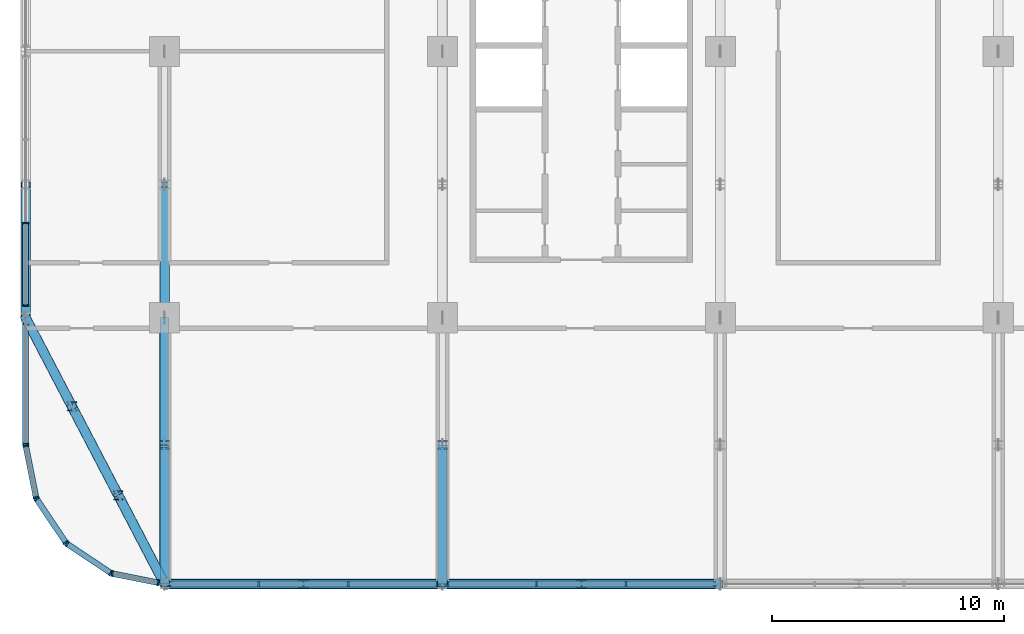
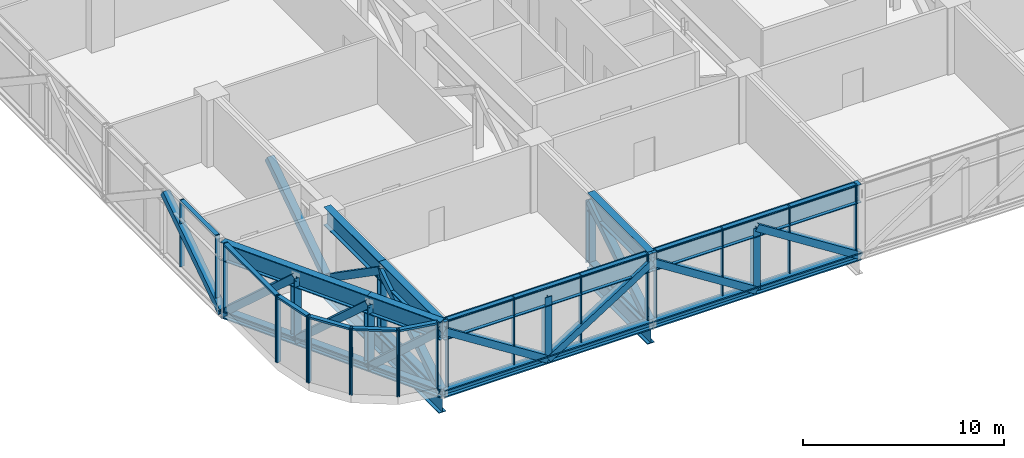
# One storey, part 3 of 30: 64 members, 3 beams, 8 elements without a shape of their own.
"""IFC4 building model written with IfcOpenShell, lengths in metres."""

from ifc_helpers import new_model, si_unit, direction, frame, origin, origin_2d, place, context, subcontext, project, spatial, rectangle, hollow_rectangle, i_section, extrude, material, material_profile, profile_set, type_object, element, aggregate, save


model = new_model("IFC4")

# Units and contexts
model_context = context("Model", 3, precision=1e-05, world=origin(), true_north=direction((0.0, 1.0)))
body_context = subcontext(model_context, "Body", "Model", "MODEL_VIEW")
ifc_project = project(units=[si_unit("LENGTHUNIT", "METRE"), si_unit("AREAUNIT", "SQUARE_METRE"), si_unit("VOLUMEUNIT", "CUBIC_METRE"), si_unit("PLANEANGLEUNIT", "RADIAN"), si_unit("MASSUNIT", "GRAM", prefix="KILO")], contexts=[model_context])

# Site, building, storey
site_placement = place(None, origin())
site = spatial("IfcSite", under=ifc_project, at=site_placement, CompositionType="ELEMENT")
building_placement = place(site_placement, origin())
building = spatial("IfcBuilding", under=site, at=building_placement, Name="Mahtab Terrace Research Tower", CompositionType="ELEMENT")
storey_placement = place(building_placement, frame((0.0, 0.0, 154.800048828125)))
storey = spatial("IfcBuildingStorey", under=building, at=storey_placement, Name="L36", CompositionType="ELEMENT", Elevation=154.800048828125)

# Members
ifc_material_1 = material(Name="Steel ASTM A500 Gr C", Category="steel")
ifc_material_profile_1 = material_profile(ifc_material_1, hollow_rectangle(XDim=0.406494140625, YDim=0.406494140625, WallThickness=0.015869140625, at=origin_2d()), Name="HSS16X16X5/8")
ifc_profile_set_1 = profile_set([ifc_material_profile_1], Name="Steel ASTM A500 Gr C")
member_type_1 = type_object("IfcMemberType", Name="HSS 16x16x5/8 brace TD161658", PredefinedType="BRACE", material=ifc_profile_set_1)
member_1_placement = place(storey_placement, frame((-48.0, -11.5, -0.317626953125), z_axis=(0.346710822661, -0.66447264597, 0.662017906259), x_axis=(0.886568735502, 0.462596884155, 0.0)))
element("IfcMember", 1, at=member_1_placement, inside=storey, type_object=member_type_1, Name="Transfer truss T4 diagonal 001", PredefinedType="BRACE", context=body_context, shape_type="SweptSolid", body=[
    extrude(hollow_rectangle(XDim=0.406494140625, YDim=0.406494140625, WallThickness=0.015869140625, at=origin_2d()), origin(), (0.0, 0.0, 1.0), 5.7685546875),
])
member_2_placement = place(storey_placement, frame((-48.0, -11.5, -0.317626953125), z_axis=(0.0, 0.833017600398, 0.553246488852), x_axis=(-1.0, 0.0, 0.0)))
element("IfcMember", 2, at=member_2_placement, inside=storey, type_object=member_type_1, Name="Transfer truss T4 diagonal 002", PredefinedType="BRACE", context=body_context, shape_type="SweptSolid", body=[
    extrude(hollow_rectangle(XDim=0.406494140625, YDim=0.406494140625, WallThickness=0.015869140625, at=origin_2d()), origin(), (0.0, 0.0, 1.0), 6.902587890625),
])
member_3_placement = place(storey_placement, frame((-46.0, -15.3330078125, -0.317626953125), z_axis=(0.346671822717, -0.664567175775, 0.661943438835), x_axis=(0.886617057815, 0.462504262457, 0.0)))
element("IfcMember", 3, at=member_3_placement, inside=storey, type_object=member_type_1, Name="Transfer truss T4 diagonal 007", PredefinedType="BRACE", context=body_context, shape_type="SweptSolid", body=[
    extrude(hollow_rectangle(XDim=0.406494140625, YDim=0.406494140625, WallThickness=0.015869140625, at=origin_2d()), origin(), (0.0, 0.0, 1.0), 5.76904296875),
])
member_4_placement = place(storey_placement, frame((-44.0, -19.1669921875, -0.317626953125), z_axis=(0.346710822661, -0.66447264597, 0.662017906259), x_axis=(0.886568735502, 0.462596884155, 0.0)))
element("IfcMember", 4, at=member_4_placement, inside=storey, type_object=member_type_1, Name="Transfer truss T4 diagonal 009", PredefinedType="BRACE", context=body_context, shape_type="SweptSolid", body=[
    extrude(hollow_rectangle(XDim=0.406494140625, YDim=0.406494140625, WallThickness=0.015869140625, at=origin_2d()), origin(), (0.0, 0.0, 1.0), 5.7685546875),
])
for number, where, z_axis, x_axis, name in (
    (5, (-36.0, -23.0, -0.317626953125), (-0.843619081223, 0.0, 0.536942125183), (0.0, -1.0, 0.0), "Transfer truss T4 diagonal 012"),
    (6, (-42.0, -23.0, -0.317626953125), (0.0, 0.843619081223, 0.536942125183), (-1.0, 0.0, 0.0), "Transfer truss T4 diagonal 013"),
):
    element("IfcMember", number, at=place(storey_placement, frame(where, z_axis=z_axis, x_axis=x_axis)), inside=storey, type_object=member_type_1, Name=name, PredefinedType="BRACE", context=body_context, shape_type="SweptSolid", body=[
        extrude(hollow_rectangle(XDim=0.406494140625, YDim=0.406494140625, WallThickness=0.015869140625, at=origin_2d()), origin(), (0.0, 0.0, 1.0), 7.1123046875),
    ])
member_5_placement = place(storey_placement, frame((-42.0, -11.5, -0.317626953125), z_axis=(0.0, -0.821411720884, 0.570335677294), x_axis=(1.0, 0.0, 0.0)))
element("IfcMember", 7, at=member_5_placement, inside=storey, type_object=member_type_1, Name="Transfer truss T4 diagonal 014", PredefinedType="BRACE", context=body_context, shape_type="SweptSolid", body=[
    extrude(hollow_rectangle(XDim=0.406494140625, YDim=0.406494140625, WallThickness=0.015869140625, at=origin_2d()), origin(), (0.0, 0.0, 1.0), 6.69580078125),
])
member_6_placement = place(storey_placement, frame((-42.0, -11.5, -0.317626953125), z_axis=(0.0, 0.833017600398, 0.553246488852), x_axis=(-1.0, 0.0, 0.0)))
element("IfcMember", 8, at=member_6_placement, inside=storey, type_object=member_type_1, Name="Transfer truss T4 diagonal 015", PredefinedType="BRACE", context=body_context, shape_type="SweptSolid", body=[
    extrude(hollow_rectangle(XDim=0.406494140625, YDim=0.406494140625, WallThickness=0.015869140625, at=origin_2d()), origin(), (0.0, 0.0, 1.0), 6.902587890625),
])
for number, where, z_axis, x_axis, name in (
    (9, (-36.0, -23.0, -0.317626953125), (0.843619081223, 0.0, 0.536942125183), (0.0, 1.0, 0.0), "Transfer truss T4 diagonal 019"),
    (10, (-24.0, -23.0, -0.317626953125), (-0.843619081223, 0.0, 0.536942125183), (0.0, -1.0, 0.0), "Transfer truss T4 diagonal 022"),
    (11, (-30.0, -23.0, -0.317626953125), (0.0, 0.843619081223, 0.536942125183), (-1.0, 0.0, 0.0), "Transfer truss T4 diagonal 023"),
    (12, (-18.0, -23.0, -0.317626953125), (-0.843619081223, 0.0, 0.536942125183), (0.0, -1.0, 0.0), "Transfer truss T4 diagonal 034"),
):
    element("IfcMember", number, at=place(storey_placement, frame(where, z_axis=z_axis, x_axis=x_axis)), inside=storey, type_object=member_type_1, Name=name, PredefinedType="BRACE", context=body_context, shape_type="SweptSolid", body=[
        extrude(hollow_rectangle(XDim=0.406494140625, YDim=0.406494140625, WallThickness=0.015869140625, at=origin_2d()), origin(), (0.0, 0.0, 1.0), 7.1123046875),
    ])

# Curtain wall, members
ifc_material_2 = material(Name="Sky lounge full-height curtain wall")
curtain_wall_type = type_object("IfcCurtainWallType", Name="Sky lounge full-height curtain wall", PredefinedType="NOTDEFINED", material=ifc_material_2)
curtain_wall_1_placement = place(storey_placement, origin())
curtain_wall_1 = element("IfcCurtainWall", 13, at=curtain_wall_1_placement, inside=storey, type_object=curtain_wall_type, Name="EN.L36.11.2", PredefinedType="NOTDEFINED")
ifc_material_3 = material(Name="Natural anodised aluminium", Category="aluminium")
ifc_material_profile_2 = material_profile(ifc_material_3, rectangle(XDim=0.25, YDim=0.070068359375, at=origin_2d()), Name="MULLION 70x250")
ifc_profile_set_2 = profile_set([ifc_material_profile_2], Name="Natural anodised aluminium")
member_type_2 = type_object("IfcMemberType", Name="Sky lounge full-height curtain wall mullion", PredefinedType="MULLION", material=ifc_profile_set_2)
member_7_placement = place(storey_placement, frame((-48.0, -7.406005859375, 0.0), z_axis=(0.0, 0.0, 1.0), x_axis=(1.0, 0.0, 0.0)))
member_7 = element("IfcMember", 14, at=member_7_placement, type_object=member_type_2, Name="CWS-T4 mullion 3", PredefinedType="MULLION", context=body_context, shape_type="SweptSolid", body=[
    extrude(rectangle(XDim=0.25, YDim=0.070068359375, at=origin_2d()), origin(), (0.0, 0.0, 1.0), 4.06005859375),
])
member_8_placement = place(storey_placement, frame((-48.0, -10.965087890625, 0.0), z_axis=(0.0, 0.0, 1.0), x_axis=(1.0, 0.0, 0.0)))
member_8 = element("IfcMember", 15, at=member_8_placement, type_object=member_type_2, Name="CWS-T4 mullion 4", PredefinedType="MULLION", context=body_context, shape_type="SweptSolid", body=[
    extrude(rectangle(XDim=0.25, YDim=0.070068359375, at=origin_2d()), origin(), (0.0, 0.0, 1.0), 4.06005859375),
])

curtain_wall_2_placement = place(storey_placement, origin())
curtain_wall_2 = element("IfcCurtainWall", 16, at=curtain_wall_2_placement, inside=storey, type_object=curtain_wall_type, Name="EN.L36.12.0", PredefinedType="NOTDEFINED")
member_9_placement = place(storey_placement, frame((-48.0, -11.7529296875, 0.0), z_axis=(0.0, 0.0, 1.0), x_axis=(1.0, 0.0, 0.0)))
member_9 = element("IfcMember", 17, at=member_9_placement, type_object=member_type_2, Name="CWS-T4 mullion 1", PredefinedType="MULLION", context=body_context, shape_type="SweptSolid", body=[
    extrude(rectangle(XDim=0.25, YDim=0.070068359375, at=origin_2d()), origin(), (0.0, 0.0, 1.0), 4.06005859375),
])
member_10_placement = place(storey_placement, frame((-48.0, -16.965087890625, 0.0), z_axis=(0.0, 0.0, 1.0), x_axis=(1.0, 0.0, 0.0)))
member_10 = element("IfcMember", 18, at=member_10_placement, type_object=member_type_2, Name="CWS-T4 mullion 2", PredefinedType="MULLION", context=body_context, shape_type="SweptSolid", body=[
    extrude(rectangle(XDim=0.25, YDim=0.070068359375, at=origin_2d()), origin(), (0.0, 0.0, 1.0), 4.06005859375),
])

curtain_wall_3_placement = place(storey_placement, origin())
curtain_wall_3 = element("IfcCurtainWall", 19, at=curtain_wall_3_placement, inside=storey, type_object=curtain_wall_type, Name="EN.L36.13.0", PredefinedType="NOTDEFINED")
member_11_placement = place(storey_placement, frame((-47.9931640625, -17.034423828125, 0.0), z_axis=(0.0, 0.0, 1.0), x_axis=(0.980760981187, 0.195212442692, 0.0)))
member_11 = element("IfcMember", 20, at=member_11_placement, type_object=member_type_2, Name="CWS-T4 mullion 1", PredefinedType="MULLION", context=body_context, shape_type="SweptSolid", body=[
    extrude(rectangle(XDim=0.25, YDim=0.070068359375, at=origin_2d()), origin(), (0.0, 0.0, 1.0), 4.06005859375),
])
member_12_placement = place(storey_placement, frame((-47.5498046875, -19.26171875, 0.0), z_axis=(0.0, 0.0, 1.0), x_axis=(0.980760981187, 0.195212442692, 0.0)))
member_12 = element("IfcMember", 21, at=member_12_placement, type_object=member_type_2, Name="CWS-T4 mullion 2", PredefinedType="MULLION", context=body_context, shape_type="SweptSolid", body=[
    extrude(rectangle(XDim=0.25, YDim=0.070068359375, at=origin_2d()), origin(), (0.0, 0.0, 1.0), 4.06005859375),
])

curtain_wall_4_placement = place(storey_placement, origin())
curtain_wall_4 = element("IfcCurtainWall", 22, at=curtain_wall_4_placement, inside=storey, type_object=curtain_wall_type, Name="EN.L36.14.0", PredefinedType="NOTDEFINED")
member_13_placement = place(storey_placement, frame((-47.523681640625, -19.3251953125, 0.0), z_axis=(0.0, 0.0, 1.0), x_axis=(0.831655794326, 0.555291490808, 0.0)))
member_13 = element("IfcMember", 23, at=member_13_placement, type_object=member_type_2, Name="CWS-T4 mullion 1", PredefinedType="MULLION", context=body_context, shape_type="SweptSolid", body=[
    extrude(rectangle(XDim=0.25, YDim=0.070068359375, at=origin_2d()), origin(), (0.0, 0.0, 1.0), 4.06005859375),
])
member_14_placement = place(storey_placement, frame((-46.262451171875, -21.2138671875, 0.0), z_axis=(0.0, 0.0, 1.0), x_axis=(0.831655794326, 0.555291490808, 0.0)))
member_14 = element("IfcMember", 24, at=member_14_placement, type_object=member_type_2, Name="CWS-T4 mullion 2", PredefinedType="MULLION", context=body_context, shape_type="SweptSolid", body=[
    extrude(rectangle(XDim=0.25, YDim=0.070068359375, at=origin_2d()), origin(), (0.0, 0.0, 1.0), 4.06005859375),
])

curtain_wall_5_placement = place(storey_placement, origin())
curtain_wall_5 = element("IfcCurtainWall", 25, at=curtain_wall_5_placement, inside=storey, type_object=curtain_wall_type, Name="EN.L36.15.0", PredefinedType="NOTDEFINED")
member_15_placement = place(storey_placement, frame((-46.2138671875, -21.262451171875, 0.0), z_axis=(0.0, 0.0, 1.0), x_axis=(0.555291490808, 0.831655794326, 0.0)))
member_15 = element("IfcMember", 26, at=member_15_placement, type_object=member_type_2, Name="CWS-T4 mullion 1", PredefinedType="MULLION", context=body_context, shape_type="SweptSolid", body=[
    extrude(rectangle(XDim=0.25, YDim=0.070068359375, at=origin_2d()), origin(), (0.0, 0.0, 1.0), 4.06005859375),
])
member_16_placement = place(storey_placement, frame((-44.3251953125, -22.523681640625, 0.0), z_axis=(0.0, 0.0, 1.0), x_axis=(0.555291490808, 0.831655794326, 0.0)))
member_16 = element("IfcMember", 27, at=member_16_placement, type_object=member_type_2, Name="CWS-T4 mullion 2", PredefinedType="MULLION", context=body_context, shape_type="SweptSolid", body=[
    extrude(rectangle(XDim=0.25, YDim=0.070068359375, at=origin_2d()), origin(), (0.0, 0.0, 1.0), 4.06005859375),
])

curtain_wall_6_placement = place(storey_placement, origin())
curtain_wall_6 = element("IfcCurtainWall", 28, at=curtain_wall_6_placement, inside=storey, type_object=curtain_wall_type, Name="EN.L36.16.0", PredefinedType="NOTDEFINED")
member_17_placement = place(storey_placement, frame((-44.26171875, -22.5498046875, 0.0), z_axis=(0.0, 0.0, 1.0), x_axis=(0.195212442692, 0.980760981187, 0.0)))
member_17 = element("IfcMember", 29, at=member_17_placement, type_object=member_type_2, Name="CWS-T4 mullion 1", PredefinedType="MULLION", context=body_context, shape_type="SweptSolid", body=[
    extrude(rectangle(XDim=0.25, YDim=0.070068359375, at=origin_2d()), origin(), (0.0, 0.0, 1.0), 4.06005859375),
])
member_18_placement = place(storey_placement, frame((-42.274169921875, -22.9453125, 0.0), z_axis=(0.0, 0.0, 1.0), x_axis=(0.195212442692, 0.980760981187, 0.0)))
member_18 = element("IfcMember", 30, at=member_18_placement, type_object=member_type_2, Name="CWS-T4 mullion 2", PredefinedType="MULLION", context=body_context, shape_type="SweptSolid", body=[
    extrude(rectangle(XDim=0.25, YDim=0.070068359375, at=origin_2d()), origin(), (0.0, 0.0, 1.0), 4.06005859375),
])

curtain_wall_7_placement = place(storey_placement, origin())
curtain_wall_7 = element("IfcCurtainWall", 31, at=curtain_wall_7_placement, inside=storey, type_object=curtain_wall_type, Name="EN.L36.17.0", PredefinedType="NOTDEFINED")
member_19_placement = place(storey_placement, frame((-41.757080078125, -23.0, 0.0), z_axis=(0.0, 0.0, 1.0), x_axis=(0.0, 1.0, 0.0)))
member_19 = element("IfcMember", 32, at=member_19_placement, type_object=member_type_2, Name="CWS-T4 mullion 1", PredefinedType="MULLION", context=body_context, shape_type="SweptSolid", body=[
    extrude(rectangle(XDim=0.25, YDim=0.070068359375, at=origin_2d()), origin(), (0.0, 0.0, 1.0), 4.06005859375),
])
member_20_placement = place(storey_placement, frame((-37.9306640625, -23.0, 0.0), z_axis=(0.0, 0.0, 1.0), x_axis=(0.0, 1.0, 0.0)))
member_20 = element("IfcMember", 33, at=member_20_placement, type_object=member_type_2, Name="CWS-T4 mullion 2", PredefinedType="MULLION", context=body_context, shape_type="SweptSolid", body=[
    extrude(rectangle(XDim=0.25, YDim=0.070068359375, at=origin_2d()), origin(), (0.0, 0.0, 1.0), 4.06005859375),
])
member_21_placement = place(storey_placement, frame((-34.0693359375, -23.0, 0.0), z_axis=(0.0, 0.0, 1.0), x_axis=(0.0, 1.0, 0.0)))
member_21 = element("IfcMember", 34, at=member_21_placement, type_object=member_type_2, Name="CWS-T4 mullion 3", PredefinedType="MULLION", context=body_context, shape_type="SweptSolid", body=[
    extrude(rectangle(XDim=0.25, YDim=0.070068359375, at=origin_2d()), origin(), (0.0, 0.0, 1.0), 4.06005859375),
])
member_22_placement = place(storey_placement, frame((-30.242919921875, -23.0, 0.0), z_axis=(0.0, 0.0, 1.0), x_axis=(0.0, 1.0, 0.0)))
member_22 = element("IfcMember", 35, at=member_22_placement, type_object=member_type_2, Name="CWS-T4 mullion 4", PredefinedType="MULLION", context=body_context, shape_type="SweptSolid", body=[
    extrude(rectangle(XDim=0.25, YDim=0.070068359375, at=origin_2d()), origin(), (0.0, 0.0, 1.0), 4.06005859375),
])

curtain_wall_8_placement = place(storey_placement, origin())
curtain_wall_8 = element("IfcCurtainWall", 36, at=curtain_wall_8_placement, inside=storey, type_object=curtain_wall_type, Name="EN.L36.17.1", PredefinedType="NOTDEFINED")
member_23_placement = place(storey_placement, frame((-29.757080078125, -23.0, 0.0), z_axis=(0.0, 0.0, 1.0), x_axis=(0.0, 1.0, 0.0)))
member_23 = element("IfcMember", 37, at=member_23_placement, type_object=member_type_2, Name="CWS-T4 mullion 1", PredefinedType="MULLION", context=body_context, shape_type="SweptSolid", body=[
    extrude(rectangle(XDim=0.25, YDim=0.070068359375, at=origin_2d()), origin(), (0.0, 0.0, 1.0), 4.06005859375),
])
member_24_placement = place(storey_placement, frame((-25.9306640625, -23.0, 0.0), z_axis=(0.0, 0.0, 1.0), x_axis=(0.0, 1.0, 0.0)))
member_24 = element("IfcMember", 38, at=member_24_placement, type_object=member_type_2, Name="CWS-T4 mullion 2", PredefinedType="MULLION", context=body_context, shape_type="SweptSolid", body=[
    extrude(rectangle(XDim=0.25, YDim=0.070068359375, at=origin_2d()), origin(), (0.0, 0.0, 1.0), 4.06005859375),
])
member_25_placement = place(storey_placement, frame((-22.0693359375, -23.0, 0.0), z_axis=(0.0, 0.0, 1.0), x_axis=(0.0, 1.0, 0.0)))
member_25 = element("IfcMember", 39, at=member_25_placement, type_object=member_type_2, Name="CWS-T4 mullion 3", PredefinedType="MULLION", context=body_context, shape_type="SweptSolid", body=[
    extrude(rectangle(XDim=0.25, YDim=0.070068359375, at=origin_2d()), origin(), (0.0, 0.0, 1.0), 4.06005859375),
])
member_26_placement = place(storey_placement, frame((-18.242919921875, -23.0, 0.0), z_axis=(0.0, 0.0, 1.0), x_axis=(0.0, 1.0, 0.0)))
member_26 = element("IfcMember", 40, at=member_26_placement, type_object=member_type_2, Name="CWS-T4 mullion 4", PredefinedType="MULLION", context=body_context, shape_type="SweptSolid", body=[
    extrude(rectangle(XDim=0.25, YDim=0.070068359375, at=origin_2d()), origin(), (0.0, 0.0, 1.0), 4.06005859375),
])

# Member
ifc_material_profile_3 = material_profile(ifc_material_3, rectangle(XDim=0.25, YDim=0.1201171875, at=origin_2d()), Name="TRANSOM 120x250")
ifc_profile_set_3 = profile_set([ifc_material_profile_3], Name="Natural anodised aluminium")
member_type_3 = type_object("IfcMemberType", Name="Sky lounge full-height curtain wall transom", PredefinedType="USERDEFINED", material=ifc_profile_set_3)
member_27_placement = place(storey_placement, frame((-48.0, -7.44091796875, 4.0), z_axis=(0.0, -1.0, 0.0), x_axis=(1.0, 0.0, 0.0)))
member_27 = element("IfcMember", 41, at=member_27_placement, type_object=member_type_3, Name="CWS-T4 transom 3", ObjectType="TRANSOM", PredefinedType="USERDEFINED", context=body_context, shape_type="SweptSolid", body=[
    extrude(rectangle(XDim=0.25, YDim=0.1201171875, at=origin_2d()), origin(), (0.0, 0.0, 1.0), 3.489013671875),
])

aggregate(curtain_wall_1, [member_7, member_8, member_27])

member_28_placement = place(storey_placement, frame((-48.0, -11.7880859375, 4.0), z_axis=(0.0, -1.0, 0.0), x_axis=(1.0, 0.0, 0.0)))
member_28 = element("IfcMember", 42, at=member_28_placement, type_object=member_type_3, Name="CWS-T4 transom 1", ObjectType="TRANSOM", PredefinedType="USERDEFINED", context=body_context, shape_type="SweptSolid", body=[
    extrude(rectangle(XDim=0.25, YDim=0.1201171875, at=origin_2d()), origin(), (0.0, 0.0, 1.0), 5.141845703125),
])

aggregate(curtain_wall_2, [member_9, member_10, member_28])

member_29_placement = place(storey_placement, frame((-47.986328125, -17.068603515625, 4.0), z_axis=(0.195220156588, -0.980759445767, 0.0), x_axis=(0.980759445767, 0.195220156588, 0.0)))
member_29 = element("IfcMember", 43, at=member_29_placement, type_object=member_type_3, Name="CWS-T4 transom 1", ObjectType="TRANSOM", PredefinedType="USERDEFINED", context=body_context, shape_type="SweptSolid", body=[
    extrude(rectangle(XDim=0.25, YDim=0.1201171875, at=origin_2d()), origin(), (0.0, 0.0, 1.0), 2.200927734375),
])

aggregate(curtain_wall_3, [member_11, member_12, member_29])

member_30_placement = place(storey_placement, frame((-47.504150390625, -19.354248046875, 4.0), z_axis=(0.555263199137, -0.831674683806, 0.0), x_axis=(0.831674683806, 0.555263199137, 0.0)))
member_30 = element("IfcMember", 44, at=member_30_placement, type_object=member_type_3, Name="CWS-T4 transom 1", ObjectType="TRANSOM", PredefinedType="USERDEFINED", context=body_context, shape_type="SweptSolid", body=[
    extrude(rectangle(XDim=0.25, YDim=0.1201171875, at=origin_2d()), origin(), (0.0, 0.0, 1.0), 2.201171875),
])

aggregate(curtain_wall_4, [member_13, member_14, member_30])

member_31_placement = place(storey_placement, frame((-46.184814453125, -21.281982421875, 4.0), z_axis=(0.831674683806, -0.555263199137, 0.0), x_axis=(0.555263199137, 0.831674683806, 0.0)))
member_31 = element("IfcMember", 45, at=member_31_placement, type_object=member_type_3, Name="CWS-T4 transom 1", ObjectType="TRANSOM", PredefinedType="USERDEFINED", context=body_context, shape_type="SweptSolid", body=[
    extrude(rectangle(XDim=0.25, YDim=0.1201171875, at=origin_2d()), origin(), (0.0, 0.0, 1.0), 2.201171875),
])

aggregate(curtain_wall_5, [member_15, member_16, member_31])

member_32_placement = place(storey_placement, frame((-44.227294921875, -22.556640625, 4.0), z_axis=(0.980767422172, -0.195180079944, 0.0), x_axis=(0.195180079944, 0.980767422172, 0.0)))
member_32 = element("IfcMember", 46, at=member_32_placement, type_object=member_type_3, Name="CWS-T4 transom 1", ObjectType="TRANSOM", PredefinedType="USERDEFINED", context=body_context, shape_type="SweptSolid", body=[
    extrude(rectangle(XDim=0.25, YDim=0.1201171875, at=origin_2d()), origin(), (0.0, 0.0, 1.0), 1.956298828125),
])

aggregate(curtain_wall_6, [member_17, member_18, member_32])

member_33_placement = place(storey_placement, frame((-41.721923828125, -23.0, 4.0), z_axis=(1.0, 0.0, 0.0), x_axis=(0.0, 1.0, 0.0)))
member_33 = element("IfcMember", 47, at=member_33_placement, type_object=member_type_3, Name="CWS-T4 transom 1", ObjectType="TRANSOM", PredefinedType="USERDEFINED", context=body_context, shape_type="SweptSolid", body=[
    extrude(rectangle(XDim=0.25, YDim=0.1201171875, at=origin_2d()), origin(), (0.0, 0.0, 1.0), 3.75634765625),
])

member_34_placement = place(storey_placement, frame((-37.895751953125, -23.0, 4.0), z_axis=(1.0, 0.0, 0.0), x_axis=(0.0, 1.0, 0.0)))
member_34 = element("IfcMember", 48, at=member_34_placement, type_object=member_type_3, Name="CWS-T4 transom 2", ObjectType="TRANSOM", PredefinedType="USERDEFINED", context=body_context, shape_type="SweptSolid", body=[
    extrude(rectangle(XDim=0.25, YDim=0.1201171875, at=origin_2d()), origin(), (0.0, 0.0, 1.0), 3.79150390625),
])

member_35_placement = place(storey_placement, frame((-34.034423828125, -23.0, 4.0), z_axis=(1.0, 0.0, 0.0), x_axis=(0.0, 1.0, 0.0)))
member_35 = element("IfcMember", 49, at=member_35_placement, type_object=member_type_3, Name="CWS-T4 transom 3", ObjectType="TRANSOM", PredefinedType="USERDEFINED", context=body_context, shape_type="SweptSolid", body=[
    extrude(rectangle(XDim=0.25, YDim=0.1201171875, at=origin_2d()), origin(), (0.0, 0.0, 1.0), 3.75634765625),
])

aggregate(curtain_wall_7, [member_19, member_20, member_21, member_22, member_33, member_34, member_35])

member_36_placement = place(storey_placement, frame((-29.721923828125, -23.0, 4.0), z_axis=(1.0, 0.0, 0.0), x_axis=(0.0, 1.0, 0.0)))
member_36 = element("IfcMember", 50, at=member_36_placement, type_object=member_type_3, Name="CWS-T4 transom 1", ObjectType="TRANSOM", PredefinedType="USERDEFINED", context=body_context, shape_type="SweptSolid", body=[
    extrude(rectangle(XDim=0.25, YDim=0.1201171875, at=origin_2d()), origin(), (0.0, 0.0, 1.0), 3.75634765625),
])

member_37_placement = place(storey_placement, frame((-25.895751953125, -23.0, 4.0), z_axis=(1.0, 0.0, 0.0), x_axis=(0.0, 1.0, 0.0)))
member_37 = element("IfcMember", 51, at=member_37_placement, type_object=member_type_3, Name="CWS-T4 transom 2", ObjectType="TRANSOM", PredefinedType="USERDEFINED", context=body_context, shape_type="SweptSolid", body=[
    extrude(rectangle(XDim=0.25, YDim=0.1201171875, at=origin_2d()), origin(), (0.0, 0.0, 1.0), 3.79150390625),
])

member_38_placement = place(storey_placement, frame((-22.034423828125, -23.0, 4.0), z_axis=(1.0, 0.0, 0.0), x_axis=(0.0, 1.0, 0.0)))
member_38 = element("IfcMember", 52, at=member_38_placement, type_object=member_type_3, Name="CWS-T4 transom 3", ObjectType="TRANSOM", PredefinedType="USERDEFINED", context=body_context, shape_type="SweptSolid", body=[
    extrude(rectangle(XDim=0.25, YDim=0.1201171875, at=origin_2d()), origin(), (0.0, 0.0, 1.0), 3.75634765625),
])

aggregate(curtain_wall_8, [member_23, member_24, member_25, member_26, member_36, member_37, member_38])

# Members
ifc_material_4 = material(Name="Steel ASTM A992 Gr 50", Category="steel")
ifc_material_profile_4 = material_profile(ifc_material_4, i_section(OverallWidth=0.396240234375, OverallDepth=0.381103515625, WebThickness=0.018798828125, FlangeThickness=0.0302734375, at=origin_2d()), Name="W14X159")
ifc_profile_set_4 = profile_set([ifc_material_profile_4], Name="Steel ASTM A992 Gr 50")
member_type_4 = type_object("IfcMemberType", Name="W14x159 post TP14159", PredefinedType="POST", material=ifc_profile_set_4)
for number, where, z_axis, x_axis, name in (
    (53, (-46.0, -15.330078125, -0.317626953125), (0.0, 0.0, 1.0), (1.0, 0.0, 0.0), "Transfer truss T4 post 007"),
    (54, (-44.0, -19.169921875, -0.317626953125), (0.0, 0.0, 1.0), (1.0, 0.0, 0.0), "Transfer truss T4 post 009"),
    (55, (-42.0, -17.0, -0.317626953125), (0.0, 0.0, 1.0), (1.0, 0.0, 0.0), "Transfer truss T4 post 013"),
    (56, (-36.0, -23.0, -0.317626953125), (0.0, 0.0, 1.0), (1.0, 0.0, 0.0), "Transfer truss T4 post 019"),
    (57, (-30.0, -17.0, -0.317626953125), (0.0, 0.0, 1.0), (1.0, 0.0, 0.0), "Transfer truss T4 post 023"),
    (58, (-24.0, -23.0, -0.317626953125), (0.0, 0.0, 1.0), (1.0, 0.0, 0.0), "Transfer truss T4 post 032"),
):
    element("IfcMember", number, at=place(storey_placement, frame(where, z_axis=z_axis, x_axis=x_axis)), inside=storey, type_object=member_type_4, Name=name, PredefinedType="POST", context=body_context, shape_type="SweptSolid", body=[
        extrude(i_section(OverallWidth=0.396240234375, OverallDepth=0.381103515625, WebThickness=0.018798828125, FlangeThickness=0.0302734375, at=origin_2d()), origin(), (0.0, 0.0, 1.0), 3.81884765625),
    ])
ifc_material_profile_5 = material_profile(ifc_material_4, i_section(OverallWidth=0.421630859375, OverallDepth=0.46484375, WebThickness=0.044921875, FlangeThickness=0.072509765625, at=origin_2d()), Name="W14X398")
ifc_profile_set_5 = profile_set([ifc_material_profile_5], Name="Steel ASTM A992 Gr 50")
member_type_5 = type_object("IfcMemberType", Name="W14x398 chord TC14398", PredefinedType="CHORD", material=ifc_profile_set_5)
member_39_placement = place(storey_placement, frame((-48.0, -11.5, -0.317626953125), z_axis=(0.4625505693, -0.886592900287, 0.0), x_axis=(0.886592900287, 0.4625505693, 0.0)))
element("IfcMember", 59, at=member_39_placement, inside=storey, type_object=member_type_5, Name="Transfer truss T4 bottom chord 001", PredefinedType="CHORD", context=body_context, shape_type="SweptSolid", body=[
    extrude(i_section(OverallWidth=0.421630859375, OverallDepth=0.46484375, WebThickness=0.044921875, FlangeThickness=0.072509765625, at=origin_2d()), origin(), (0.0, 0.0, 1.0), 8.647705078125),
])
member_40_placement = place(storey_placement, frame((-44.0, -19.1669921875, -0.317626953125), z_axis=(0.462596884155, -0.886568735502, 0.0), x_axis=(0.886568735502, 0.462596884155, 0.0)))
element("IfcMember", 60, at=member_40_placement, inside=storey, type_object=member_type_5, Name="Transfer truss T4 bottom chord 002", PredefinedType="CHORD", context=body_context, shape_type="SweptSolid", body=[
    extrude(i_section(OverallWidth=0.421630859375, OverallDepth=0.46484375, WebThickness=0.044921875, FlangeThickness=0.072509765625, at=origin_2d()), origin(), (0.0, 0.0, 1.0), 4.323486328125),
])
for number, where, z_axis, x_axis, name in (
    (61, (-42.0, -23.0, -0.317626953125), (1.0, 0.0, 0.0), (0.0, 1.0, 0.0), "Transfer truss T4 bottom chord 016"),
    (62, (-30.0, -23.0, -0.317626953125), (1.0, 0.0, 0.0), (0.0, 1.0, 0.0), "Transfer truss T4 bottom chord 017"),
):
    element("IfcMember", number, at=place(storey_placement, frame(where, z_axis=z_axis, x_axis=x_axis)), inside=storey, type_object=member_type_5, Name=name, PredefinedType="CHORD", context=body_context, shape_type="SweptSolid", body=[
        extrude(i_section(OverallWidth=0.421630859375, OverallDepth=0.46484375, WebThickness=0.044921875, FlangeThickness=0.072509765625, at=origin_2d()), origin(), (0.0, 0.0, 1.0), 12.0),
    ])
member_41_placement = place(storey_placement, frame((-42.0, -23.0, -0.317626953125), z_axis=(0.0, 1.0, 0.0), x_axis=(-1.0, 0.0, 0.0)))
element("IfcMember", 63, at=member_41_placement, inside=storey, type_object=member_type_5, Name="Transfer truss T4 bottom chord 023", PredefinedType="CHORD", context=body_context, shape_type="SweptSolid", body=[
    extrude(i_section(OverallWidth=0.421630859375, OverallDepth=0.46484375, WebThickness=0.044921875, FlangeThickness=0.072509765625, at=origin_2d()), origin(), (0.0, 0.0, 1.0), 6.0),
])
member_42_placement = place(storey_placement, frame((-42.0, -17.0, -0.317626953125), z_axis=(0.0, 1.0, 0.0), x_axis=(-1.0, 0.0, 0.0)))
element("IfcMember", 64, at=member_42_placement, inside=storey, type_object=member_type_5, Name="Transfer truss T4 bottom chord 024", PredefinedType="CHORD", context=body_context, shape_type="SweptSolid", body=[
    extrude(i_section(OverallWidth=0.421630859375, OverallDepth=0.46484375, WebThickness=0.044921875, FlangeThickness=0.072509765625, at=origin_2d()), origin(), (0.0, 0.0, 1.0), 5.5),
])
member_43_placement = place(storey_placement, frame((-30.0, -23.0, -0.317626953125), z_axis=(0.0, 1.0, 0.0), x_axis=(-1.0, 0.0, 0.0)))
element("IfcMember", 65, at=member_43_placement, inside=storey, type_object=member_type_5, Name="Transfer truss T4 bottom chord 033", PredefinedType="CHORD", context=body_context, shape_type="SweptSolid", body=[
    extrude(i_section(OverallWidth=0.421630859375, OverallDepth=0.46484375, WebThickness=0.044921875, FlangeThickness=0.072509765625, at=origin_2d()), origin(), (0.0, 0.0, 1.0), 6.0),
])

# Beams
ifc_material_profile_6 = material_profile(ifc_material_4, i_section(OverallWidth=0.4013671875, OverallDepth=1.000732421875, WebThickness=0.01904296875, FlangeThickness=0.0361328125, at=origin_2d()), Name="W40X249")
ifc_profile_set_6 = profile_set([ifc_material_profile_6], Name="Steel ASTM A992 Gr 50")
beam_type = type_object("IfcBeamType", Name="W40x249 transfer girder TG40249", PredefinedType="BEAM", material=ifc_profile_set_6)
beam_1_placement = place(storey_placement, frame((-42.0, -23.0, -1.04833984375), z_axis=(0.0, 1.0, 0.0), x_axis=(-1.0, 0.0, 0.0)))
element("IfcBeam", 66, at=beam_1_placement, inside=storey, type_object=beam_type, Name="Transfer girder T4 22", PredefinedType="BEAM", context=body_context, shape_type="SweptSolid", body=[
    extrude(i_section(OverallWidth=0.4013671875, OverallDepth=1.000732421875, WebThickness=0.01904296875, FlangeThickness=0.0361328125, at=origin_2d()), origin(), (0.0, 0.0, 1.0), 6.0),
])
beam_2_placement = place(storey_placement, frame((-42.0, -17.0, -1.04833984375), z_axis=(0.0, 1.0, 0.0), x_axis=(-1.0, 0.0, 0.0)))
element("IfcBeam", 67, at=beam_2_placement, inside=storey, type_object=beam_type, Name="Transfer girder T4 23", PredefinedType="BEAM", context=body_context, shape_type="SweptSolid", body=[
    extrude(i_section(OverallWidth=0.4013671875, OverallDepth=1.000732421875, WebThickness=0.01904296875, FlangeThickness=0.0361328125, at=origin_2d()), origin(), (0.0, 0.0, 1.0), 5.5),
])
beam_3_placement = place(storey_placement, frame((-30.0, -23.0, -1.04833984375), z_axis=(0.0, 1.0, 0.0), x_axis=(-1.0, 0.0, 0.0)))
element("IfcBeam", 68, at=beam_3_placement, inside=storey, type_object=beam_type, Name="Transfer girder T4 25", PredefinedType="BEAM", context=body_context, shape_type="SweptSolid", body=[
    extrude(i_section(OverallWidth=0.4013671875, OverallDepth=1.000732421875, WebThickness=0.01904296875, FlangeThickness=0.0361328125, at=origin_2d()), origin(), (0.0, 0.0, 1.0), 6.0),
])

# Members
ifc_material_profile_7 = material_profile(ifc_material_4, i_section(OverallWidth=0.40380859375, OverallDepth=1.11767578125, WebThickness=0.026123046875, FlangeThickness=0.044921875, at=origin_2d()), Name="W44X335")
ifc_profile_set_7 = profile_set([ifc_material_profile_7], Name="Steel ASTM A992 Gr 50")
member_type_6 = type_object("IfcMemberType", Name="W44x335 chord TT44335", PredefinedType="CHORD", material=ifc_profile_set_7)
member_44_placement = place(storey_placement, frame((-48.0, -11.5, 3.501220703125), z_axis=(0.4625505693, -0.886592900287, 0.0), x_axis=(0.886592900287, 0.4625505693, 0.0)))
element("IfcMember", 69, at=member_44_placement, inside=storey, type_object=member_type_6, Name="Transfer truss T4 top chord 001", PredefinedType="CHORD", context=body_context, shape_type="SweptSolid", body=[
    extrude(i_section(OverallWidth=0.40380859375, OverallDepth=1.11767578125, WebThickness=0.026123046875, FlangeThickness=0.044921875, at=origin_2d()), origin(), (0.0, 0.0, 1.0), 8.647705078125),
])
member_45_placement = place(storey_placement, frame((-44.0, -19.1669921875, 3.501220703125), z_axis=(0.462596884155, -0.886568735502, 0.0), x_axis=(0.886568735502, 0.462596884155, 0.0)))
element("IfcMember", 70, at=member_45_placement, inside=storey, type_object=member_type_6, Name="Transfer truss T4 top chord 002", PredefinedType="CHORD", context=body_context, shape_type="SweptSolid", body=[
    extrude(i_section(OverallWidth=0.40380859375, OverallDepth=1.11767578125, WebThickness=0.026123046875, FlangeThickness=0.044921875, at=origin_2d()), origin(), (0.0, 0.0, 1.0), 4.323486328125),
])
for number, where, z_axis, x_axis, name in (
    (71, (-42.0, -23.0, 3.501220703125), (1.0, 0.0, 0.0), (0.0, 1.0, 0.0), "Transfer truss T4 top chord 015"),
    (72, (-30.0, -23.0, 3.501220703125), (1.0, 0.0, 0.0), (0.0, 1.0, 0.0), "Transfer truss T4 top chord 016"),
):
    element("IfcMember", number, at=place(storey_placement, frame(where, z_axis=z_axis, x_axis=x_axis)), inside=storey, type_object=member_type_6, Name=name, PredefinedType="CHORD", context=body_context, shape_type="SweptSolid", body=[
        extrude(i_section(OverallWidth=0.40380859375, OverallDepth=1.11767578125, WebThickness=0.026123046875, FlangeThickness=0.044921875, at=origin_2d()), origin(), (0.0, 0.0, 1.0), 12.0),
    ])
member_46_placement = place(storey_placement, frame((-42.0, -23.0, 3.501220703125), z_axis=(0.0, 1.0, 0.0), x_axis=(-1.0, 0.0, 0.0)))
element("IfcMember", 73, at=member_46_placement, inside=storey, type_object=member_type_6, Name="Transfer truss T4 top chord 022", PredefinedType="CHORD", context=body_context, shape_type="SweptSolid", body=[
    extrude(i_section(OverallWidth=0.40380859375, OverallDepth=1.11767578125, WebThickness=0.026123046875, FlangeThickness=0.044921875, at=origin_2d()), origin(), (0.0, 0.0, 1.0), 6.0),
])
member_47_placement = place(storey_placement, frame((-42.0, -17.0, 3.501220703125), z_axis=(0.0, 1.0, 0.0), x_axis=(-1.0, 0.0, 0.0)))
element("IfcMember", 74, at=member_47_placement, inside=storey, type_object=member_type_6, Name="Transfer truss T4 top chord 023", PredefinedType="CHORD", context=body_context, shape_type="SweptSolid", body=[
    extrude(i_section(OverallWidth=0.40380859375, OverallDepth=1.11767578125, WebThickness=0.026123046875, FlangeThickness=0.044921875, at=origin_2d()), origin(), (0.0, 0.0, 1.0), 5.5),
])
member_48_placement = place(storey_placement, frame((-30.0, -23.0, 3.501220703125), z_axis=(0.0, 1.0, 0.0), x_axis=(-1.0, 0.0, 0.0)))
element("IfcMember", 75, at=member_48_placement, inside=storey, type_object=member_type_6, Name="Transfer truss T4 top chord 032", PredefinedType="CHORD", context=body_context, shape_type="SweptSolid", body=[
    extrude(i_section(OverallWidth=0.40380859375, OverallDepth=1.11767578125, WebThickness=0.026123046875, FlangeThickness=0.044921875, at=origin_2d()), origin(), (0.0, 0.0, 1.0), 6.0),
])

save(model, "model.ifc")
